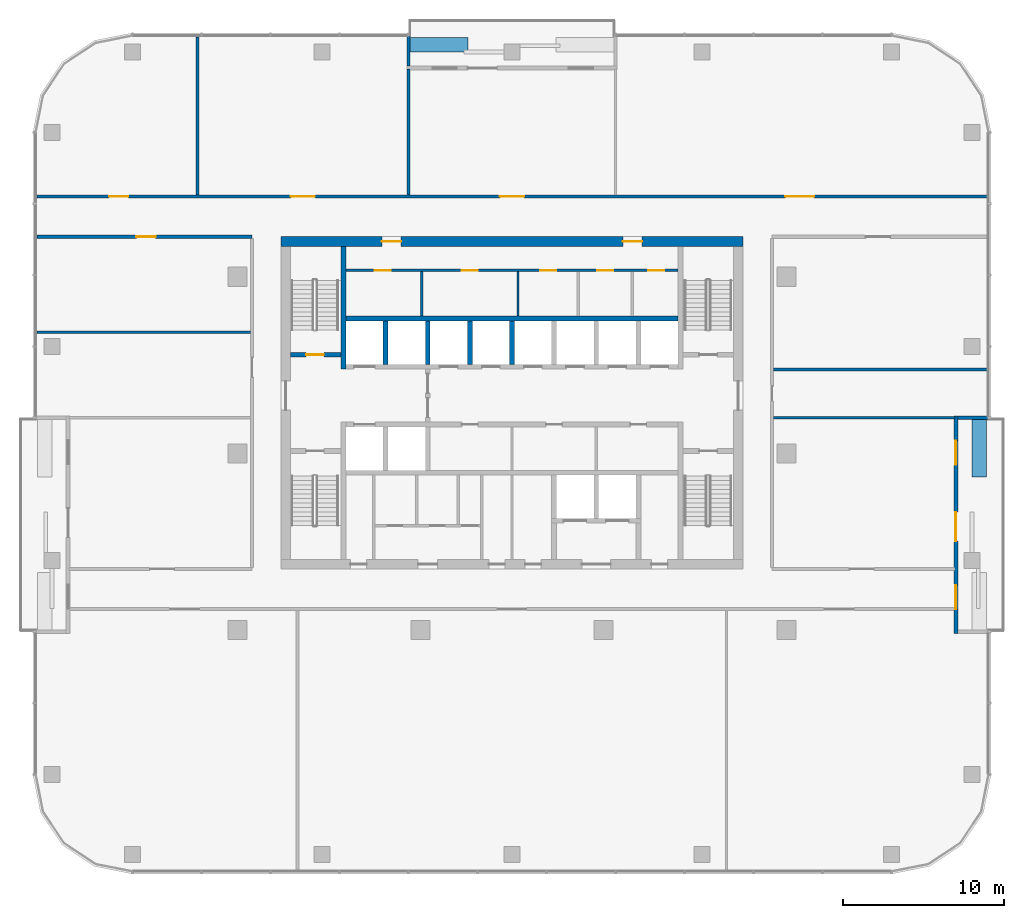
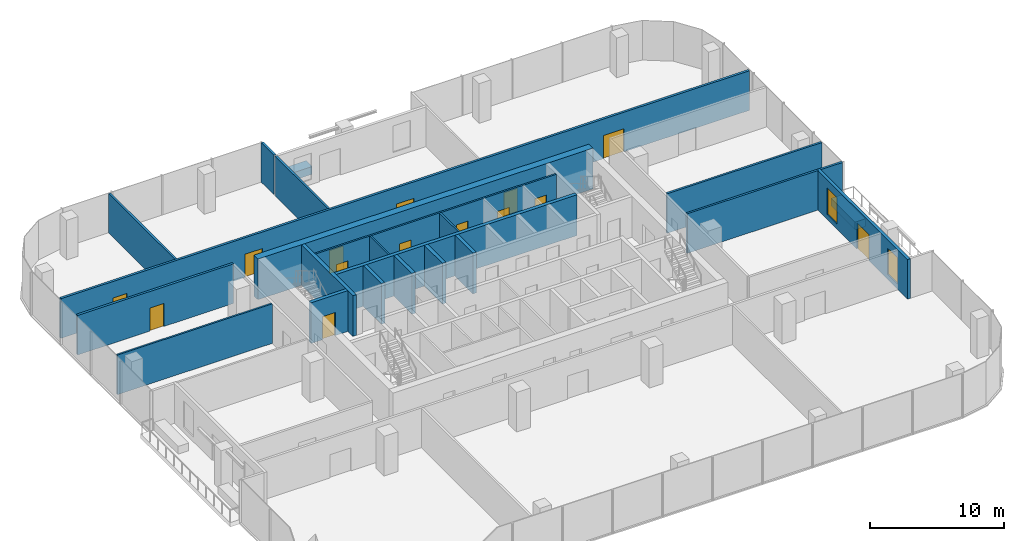
# One storey, part 9 of 13: 23 walls, 14 doors, 2 windows, 16 openings.
"""IFC4 building model written with IfcOpenShell, lengths in metres."""

from ifc_helpers import new_model, si_unit, direction, frame, frame_2d, origin, place, context, subcontext, project, spatial, rectangle, extrude, material, layer, layer_set, type_object, element, fill, save


model = new_model("IFC4")

# Units and contexts
model_context = context("Model", 3, precision=1e-05, world=origin(), true_north=direction((0.0, 1.0)))
body_context = subcontext(model_context, "Body", "Model", "MODEL_VIEW")
ifc_project = project(units=[si_unit("LENGTHUNIT", "METRE"), si_unit("AREAUNIT", "SQUARE_METRE"), si_unit("VOLUMEUNIT", "CUBIC_METRE"), si_unit("PLANEANGLEUNIT", "RADIAN"), si_unit("MASSUNIT", "GRAM", prefix="KILO")], contexts=[model_context])

# Site, building, storey
site_placement = place(None, origin())
site = spatial("IfcSite", under=ifc_project, at=site_placement, CompositionType="ELEMENT")
building_placement = place(site_placement, origin())
building = spatial("IfcBuilding", under=site, at=building_placement, Name="Mopane Tessera Tower", CompositionType="ELEMENT")
storey_placement = place(building_placement, frame((0.0, 0.0, 271.39990234375)))
storey = spatial("IfcBuildingStorey", under=building, at=storey_placement, Name="L58", CompositionType="ELEMENT", Elevation=271.39990234375)

# Walls
ifc_material_1 = material(Name="Fire-rated gypsum board partition")
ifc_layer_1 = layer(ifc_material_1, 0.14990234375)
ifc_layer_set_1 = layer_set([ifc_layer_1], Name="Fire-rated gypsum board partition")
wall_type_1 = type_object("IfcWallType", Name="Core room partition 150 mm", PredefinedType="PARTITIONING", material=ifc_layer_set_1)
for number, where, z_axis, x_axis, name in (
    (1, (-5.625, 8.550048828125, 0.0), (0.0, 0.0, 1.0), (0.0, 1.0, 0.0), "L58 Room partition"),
    (2, (0.375, 8.550048828125, 0.0), (0.0, 0.0, 1.0), (0.0, 1.0, 0.0), "L58 Room partition"),
):
    element("IfcWall", number, at=place(storey_placement, frame(where, z_axis=z_axis, x_axis=x_axis)), inside=storey, type_object=wall_type_1, Name=name, PredefinedType="PARTITIONING", context=body_context, shape_type="SweptSolid", body=[
        extrude(rectangle(XDim=2.77490234375, YDim=0.14990234375, at=frame_2d((1.387451171875, 0.0))), origin(), (0.0, 0.0, 1.0), 3.7001953125),
    ])

# Wall, openings, doors
wall_1_placement = place(storey_placement, frame((-10.35009765625, 11.39990234375, 0.0), z_axis=(0.0, 0.0, 1.0), x_axis=(1.0, 0.0, 0.0)))
wall_1 = element("IfcWall", 3, at=wall_1_placement, inside=storey, type_object=wall_type_1, Name="L58 Corridor wall", PredefinedType="PARTITIONING", context=body_context, shape_type="SweptSolid", body=[
    extrude(rectangle(XDim=20.7001953125, YDim=0.14990234375, at=frame_2d((10.35009765625, 0.0))), origin(), (0.0, 0.0, 1.0), 3.7001953125),
])
opening_1_placement = place(wall_1_placement, frame((1.78759765625, 0.0, 0.0)))
opening_1 = element("IfcOpeningElement", 4, at=opening_1_placement, cuts=wall_1, Name="Opening RD1", PredefinedType="OPENING", context=body_context, shape_type="SweptSolid", body=[
    extrude(rectangle(XDim=1.0, YDim=2.10009765625, at=frame_2d((0.5, 1.050048828125))), frame((0.0, 0.0869140625, 0.0), z_axis=(0.0, -1.0, 0.0), x_axis=(1.0, 0.0, 0.0)), (0.0, 0.0, 1.0), 0.173828125),
])
opening_2_placement = place(wall_1_placement, frame((7.22509765625, 0.0, 0.0)))
opening_2 = element("IfcOpeningElement", 5, at=opening_2_placement, cuts=wall_1, Name="Opening RD1", PredefinedType="OPENING", context=body_context, shape_type="SweptSolid", body=[
    extrude(rectangle(XDim=1.0, YDim=2.10009765625, at=frame_2d((0.5, 1.050048828125))), frame((0.0, 0.0869140625, 0.0), z_axis=(0.0, -1.0, 0.0), x_axis=(1.0, 0.0, 0.0)), (0.0, 0.0, 1.0), 0.173828125),
])
opening_3_placement = place(wall_1_placement, frame((12.10009765625, 0.0, 0.0)))
opening_3 = element("IfcOpeningElement", 6, at=opening_3_placement, cuts=wall_1, Name="Opening RD1", PredefinedType="OPENING", context=body_context, shape_type="SweptSolid", body=[
    extrude(rectangle(XDim=1.0, YDim=2.10009765625, at=frame_2d((0.5, 1.050048828125))), frame((0.0, 0.0869140625, 0.0), z_axis=(0.0, -1.0, 0.0), x_axis=(1.0, 0.0, 0.0)), (0.0, 0.0, 1.0), 0.173828125),
])
opening_4_placement = place(wall_1_placement, frame((15.66259765625, 0.0, 0.0)))
opening_4 = element("IfcOpeningElement", 7, at=opening_4_placement, cuts=wall_1, Name="Opening RD1", PredefinedType="OPENING", context=body_context, shape_type="SweptSolid", body=[
    extrude(rectangle(XDim=1.0, YDim=2.10009765625, at=frame_2d((0.5, 1.050048828125))), frame((0.0, 0.0869140625, 0.0), z_axis=(0.0, -1.0, 0.0), x_axis=(1.0, 0.0, 0.0)), (0.0, 0.0, 1.0), 0.173828125),
])
opening_5_placement = place(wall_1_placement, frame((18.85009765625, 0.0, 0.0)))
opening_5 = element("IfcOpeningElement", 8, at=opening_5_placement, cuts=wall_1, Name="Opening RD1", PredefinedType="OPENING", context=body_context, shape_type="SweptSolid", body=[
    extrude(rectangle(XDim=1.0, YDim=2.10009765625, at=frame_2d((0.5, 1.050048828125))), frame((0.0, 0.0869140625, 0.0), z_axis=(0.0, -1.0, 0.0), x_axis=(1.0, 0.0, 0.0)), (0.0, 0.0, 1.0), 0.173828125),
])
ifc_material_2 = material(Name="Timber door", Category="wood")
door_type_1 = type_object("IfcDoorType", Name="Core room door 1000 x 2100", OperationType="SINGLE_SWING_LEFT", PredefinedType="DOOR", material=ifc_material_2)
door_1_placement = place(opening_1_placement, origin())
door_1 = element("IfcDoor", 9, at=door_1_placement, inside=storey, type_object=door_type_1, Name="L58 Room door", OperationType="SINGLE_SWING_LEFT", OverallHeight=2.10009765625, OverallWidth=1.0, PredefinedType="DOOR", context=body_context, shape_type="SweptSolid", body=[
    extrude(rectangle(XDim=1.0, YDim=2.10009765625, at=frame_2d((0.5, 1.050048828125))), frame((0.0, 0.02490234375, 0.0), z_axis=(0.0, -1.0, 0.0), x_axis=(1.0, 0.0, 0.0)), (0.0, 0.0, 1.0), 0.050048828125),
])
fill(opening_1, door_1)
door_2_placement = place(opening_2_placement, origin())
door_2 = element("IfcDoor", 10, at=door_2_placement, inside=storey, type_object=door_type_1, Name="L58 Room door", OperationType="SINGLE_SWING_LEFT", OverallHeight=2.10009765625, OverallWidth=1.0, PredefinedType="DOOR", context=body_context, shape_type="SweptSolid", body=[
    extrude(rectangle(XDim=1.0, YDim=2.10009765625, at=frame_2d((0.5, 1.050048828125))), frame((0.0, 0.02490234375, 0.0), z_axis=(0.0, -1.0, 0.0), x_axis=(1.0, 0.0, 0.0)), (0.0, 0.0, 1.0), 0.050048828125),
])
fill(opening_2, door_2)
door_3_placement = place(opening_3_placement, origin())
door_3 = element("IfcDoor", 11, at=door_3_placement, inside=storey, type_object=door_type_1, Name="L58 Room door", OperationType="SINGLE_SWING_LEFT", OverallHeight=2.10009765625, OverallWidth=1.0, PredefinedType="DOOR", context=body_context, shape_type="SweptSolid", body=[
    extrude(rectangle(XDim=1.0, YDim=2.10009765625, at=frame_2d((0.5, 1.050048828125))), frame((0.0, 0.02490234375, 0.0), z_axis=(0.0, -1.0, 0.0), x_axis=(1.0, 0.0, 0.0)), (0.0, 0.0, 1.0), 0.050048828125),
])
fill(opening_3, door_3)
door_4_placement = place(opening_4_placement, origin())
door_4 = element("IfcDoor", 12, at=door_4_placement, inside=storey, type_object=door_type_1, Name="L58 Room door", OperationType="SINGLE_SWING_LEFT", OverallHeight=2.10009765625, OverallWidth=1.0, PredefinedType="DOOR", context=body_context, shape_type="SweptSolid", body=[
    extrude(rectangle(XDim=1.0, YDim=2.10009765625, at=frame_2d((0.5, 1.050048828125))), frame((0.0, 0.02490234375, 0.0), z_axis=(0.0, -1.0, 0.0), x_axis=(1.0, 0.0, 0.0)), (0.0, 0.0, 1.0), 0.050048828125),
])
fill(opening_4, door_4)
door_5_placement = place(opening_5_placement, origin())
door_5 = element("IfcDoor", 13, at=door_5_placement, inside=storey, type_object=door_type_1, Name="L58 Room door", OperationType="SINGLE_SWING_LEFT", OverallHeight=2.10009765625, OverallWidth=1.0, PredefinedType="DOOR", context=body_context, shape_type="SweptSolid", body=[
    extrude(rectangle(XDim=1.0, YDim=2.10009765625, at=frame_2d((0.5, 1.050048828125))), frame((0.0, 0.02490234375, 0.0), z_axis=(0.0, -1.0, 0.0), x_axis=(1.0, 0.0, 0.0)), (0.0, 0.0, 1.0), 0.050048828125),
])
fill(opening_5, door_5)

ifc_material_3 = material(Name="Concrete C70/85", Category="concrete")
ifc_layer_2 = layer(ifc_material_3, 0.60009765625)
ifc_layer_set_2 = layer_set([ifc_layer_2], Name="Concrete C70/85")
wall_type_2 = type_object("IfcWallType", Name="Core shear wall 600 mm", PredefinedType="SHEAR", material=ifc_layer_set_2)
wall_2_placement = place(storey_placement, frame((-14.39990234375, 13.199951171875, 0.0), z_axis=(0.0, 0.0, 1.0), x_axis=(1.0, 0.0, 0.0)))
wall_2 = element("IfcWall", 14, at=wall_2_placement, inside=storey, type_object=wall_type_2, Name="L58 Core wall north", PredefinedType="SHEAR", context=body_context, shape_type="SweptSolid", body=[
    extrude(rectangle(XDim=28.7998046875, YDim=0.60009765625, at=frame_2d((14.39990234375, 0.0))), origin(), (0.0, 0.0, 1.0), 3.7001953125),
])
opening_6_placement = place(wall_2_placement, frame((6.300048828125, 0.0, 0.0)))
opening_6 = element("IfcOpeningElement", 15, at=opening_6_placement, cuts=wall_2, Name="Opening RD2", PredefinedType="OPENING", context=body_context, shape_type="SweptSolid", body=[
    extrude(rectangle(XDim=1.199951171875, YDim=2.10009765625, at=frame_2d((0.60009765625, 1.050048828125))), frame((0.0, 0.31201171875, 0.0), z_axis=(0.0, -1.0, 0.0), x_axis=(1.0, 0.0, 0.0)), (0.0, 0.0, 1.0), 0.6240234375),
])
opening_7_placement = place(wall_2_placement, frame((21.300048828125, 0.0, 0.0)))
opening_7 = element("IfcOpeningElement", 16, at=opening_7_placement, cuts=wall_2, Name="Opening RD2", PredefinedType="OPENING", context=body_context, shape_type="SweptSolid", body=[
    extrude(rectangle(XDim=1.199951171875, YDim=2.10009765625, at=frame_2d((0.60009765625, 1.050048828125))), frame((0.0, 0.31201171875, 0.0), z_axis=(0.0, -1.0, 0.0), x_axis=(1.0, 0.0, 0.0)), (0.0, 0.0, 1.0), 0.6240234375),
])
ifc_material_4 = material(Name="Timber door", Category="wood")
door_type_2 = type_object("IfcDoorType", Name="Core corridor door 1200 x 2100", OperationType="SINGLE_SWING_LEFT", PredefinedType="DOOR", material=ifc_material_4)
door_6_placement = place(opening_6_placement, origin())
door_6 = element("IfcDoor", 17, at=door_6_placement, inside=storey, type_object=door_type_2, Name="L58 Corridor door", OperationType="SINGLE_SWING_LEFT", OverallHeight=2.10009765625, OverallWidth=1.199951171875, PredefinedType="DOOR", context=body_context, shape_type="SweptSolid", body=[
    extrude(rectangle(XDim=1.199951171875, YDim=2.10009765625, at=frame_2d((0.60009765625, 1.050048828125))), frame((0.0, 0.02490234375, 0.0), z_axis=(0.0, -1.0, 0.0), x_axis=(1.0, 0.0, 0.0)), (0.0, 0.0, 1.0), 0.050048828125),
])
fill(opening_6, door_6)
door_7_placement = place(opening_7_placement, origin())
door_7 = element("IfcDoor", 18, at=door_7_placement, inside=storey, type_object=door_type_2, Name="L58 Corridor door", OperationType="SINGLE_SWING_RIGHT", OverallHeight=2.10009765625, OverallWidth=1.199951171875, PredefinedType="DOOR", context=body_context, shape_type="SweptSolid", body=[
    extrude(rectangle(XDim=1.199951171875, YDim=2.10009765625, at=frame_2d((0.60009765625, 1.050048828125))), frame((0.0, 0.02490234375, 0.0), z_axis=(0.0, -1.0, 0.0), x_axis=(1.0, 0.0, 0.0)), (0.0, 0.0, 1.0), 0.050048828125),
])
fill(opening_7, door_7)

# Walls
ifc_material_5 = material(Name="Concrete C60/75", Category="concrete")
ifc_layer_3 = layer(ifc_material_5, 0.300048828125)
ifc_layer_set_3 = layer_set([ifc_layer_3], Name="Concrete C60/75")
wall_type_3 = type_object("IfcWallType", Name="Core spine wall 300 mm", PredefinedType="SHEAR", material=ifc_layer_set_3)
wall_3_placement = place(storey_placement, frame((-10.5, 5.25, 0.0), z_axis=(0.0, 0.0, 1.0), x_axis=(0.0, 1.0, 0.0)))
element("IfcWall", 19, at=wall_3_placement, inside=storey, type_object=wall_type_3, Name="L58 Core spine wall", PredefinedType="SHEAR", context=body_context, shape_type="SweptSolid", body=[
    extrude(rectangle(XDim=7.64990234375, YDim=0.300048828125, at=frame_2d((3.824951171875, 0.0))), origin(), (0.0, 0.0, 1.0), 3.7001953125),
])
ifc_material_6 = material(Name="Gypsum board on staggered steel studs, double layer each face, acoustic mineral wool infill", Category="steel")
ifc_layer_4 = layer(ifc_material_6, 0.175048828125)
ifc_layer_set_4 = layer_set([ifc_layer_4], Name="Gypsum board on staggered steel studs, double layer each face, acoustic mineral wool infill")
wall_type_4 = type_object("IfcWallType", Name="Gypsum board acoustic partition 175, rated EI 60", PredefinedType="PARTITIONING", material=ifc_layer_set_4)
wall_4_placement = place(storey_placement, frame((16.300048828125, 2.219970703125, 0.0), z_axis=(0.0, 0.0, 1.0), x_axis=(1.0, 0.0, 0.0)))
element("IfcWall", 20, at=wall_4_placement, inside=storey, type_object=wall_type_4, Name="Partition L58:004", PredefinedType="PARTITIONING", context=body_context, shape_type="SweptSolid", body=[
    extrude(rectangle(XDim=11.300048828125, YDim=0.175048828125, at=frame_2d((5.64990234375, 0.0))), origin(), (0.0, 0.0, 1.0), 3.60009765625),
])
wall_5_placement = place(storey_placement, frame((16.300048828125, 5.219970703125, 0.0), z_axis=(0.0, 0.0, 1.0), x_axis=(1.0, 0.0, 0.0)))
element("IfcWall", 21, at=wall_5_placement, inside=storey, type_object=wall_type_4, Name="Partition L58:005", PredefinedType="PARTITIONING", context=body_context, shape_type="SweptSolid", body=[
    extrude(rectangle(XDim=13.300048828125, YDim=0.175048828125, at=frame_2d((6.64990234375, 0.0))), origin(), (0.0, 0.0, 1.0), 3.60009765625),
])
wall_6_placement = place(storey_placement, frame((-19.60009765625, 16.10009765625, 0.0), z_axis=(0.0, 0.0, 1.0), x_axis=(0.0, 1.0, 0.0)))
element("IfcWall", 22, at=wall_6_placement, inside=storey, type_object=wall_type_4, Name="Partition L58:010", PredefinedType="PARTITIONING", context=body_context, shape_type="SweptSolid", body=[
    extrude(rectangle(XDim=9.849853515625, YDim=0.175048828125, at=frame_2d((4.9248046875, 0.0))), origin(), (0.0, 0.0, 1.0), 3.60009765625),
])
wall_7_placement = place(storey_placement, frame((-6.449951171875, 16.10009765625, 0.0), z_axis=(0.0, 0.0, 1.0), x_axis=(0.0, 1.0, 0.0)))
element("IfcWall", 23, at=wall_7_placement, inside=storey, type_object=wall_type_4, Name="Partition L58:013", PredefinedType="PARTITIONING", context=body_context, shape_type="SweptSolid", body=[
    extrude(rectangle(XDim=7.849853515625, YDim=0.175048828125, at=frame_2d((3.9248046875, 0.0))), origin(), (0.0, 0.0, 1.0), 3.60009765625),
])

# Wall, opening, door
ifc_material_7 = material(Name="Gypsum board on steel studs, two layers each face, mineral wool infill", Category="steel")
ifc_layer_5 = layer(ifc_material_7, 0.199951171875)
ifc_layer_set_5 = layer_set([ifc_layer_5], Name="Gypsum board on steel studs, two layers each face, mineral wool infill")
wall_type_5 = type_object("IfcWallType", Name="Gypsum board corridor wall 200, rated EI 60", PredefinedType="PARTITIONING", material=ifc_layer_set_5)
wall_8_placement = place(storey_placement, frame((-29.60009765625, 13.5, 0.0), z_axis=(0.0, 0.0, 1.0), x_axis=(1.0, 0.0, 0.0)))
wall_8 = element("IfcWall", 24, at=wall_8_placement, inside=storey, type_object=wall_type_5, Name="Partition L58:007", PredefinedType="PARTITIONING", context=body_context, shape_type="SweptSolid", body=[
    extrude(rectangle(XDim=13.400146484375, YDim=0.199951171875, at=frame_2d((6.7001953125, 0.0))), origin(), (0.0, 0.0, 1.0), 3.60009765625),
])
opening_8_placement = place(wall_8_placement, frame((6.199951171875, 0.0, 0.0)))
opening_8 = element("IfcOpeningElement", 25, at=opening_8_placement, cuts=wall_8, Name="Opening L58-06", PredefinedType="OPENING", context=body_context, shape_type="SweptSolid", body=[
    extrude(rectangle(XDim=1.199951171875, YDim=2.10009765625, at=frame_2d((0.60009765625, 1.050048828125))), frame((0.0, 0.112060546875, 0.0), z_axis=(0.0, -1.0, 0.0), x_axis=(1.0, 0.0, 0.0)), (0.0, 0.0, 1.0), 0.223876953125),
])
ifc_material_8 = material(Name="Timber veneered steel-framed fire door", Category="steel")
door_type_3 = type_object("IfcDoorType", Name="Fire door FD60 1200 x 2100", OperationType="SINGLE_SWING_LEFT", PredefinedType="DOOR", material=ifc_material_8)
door_8_placement = place(opening_8_placement, origin())
door_8 = element("IfcDoor", 26, at=door_8_placement, inside=storey, type_object=door_type_3, Name="Door L58-06", ObjectType="D15A", OperationType="SINGLE_SWING_RIGHT", OverallHeight=2.10009765625, OverallWidth=1.199951171875, PredefinedType="DOOR", context=body_context, shape_type="SweptSolid", body=[
    extrude(rectangle(XDim=1.199951171875, YDim=2.10009765625, at=frame_2d((0.60009765625, 1.050048828125))), frame((0.0, 0.02490234375, 0.0), z_axis=(0.0, -1.0, 0.0), x_axis=(1.0, 0.0, 0.0)), (0.0, 0.0, 1.0), 0.050048828125),
])
fill(opening_8, door_8)

# Wall, openings, doors
wall_9_placement = place(storey_placement, frame((-29.60009765625, 16.0, 0.0), z_axis=(0.0, 0.0, 1.0), x_axis=(1.0, 0.0, 0.0)))
wall_9 = element("IfcWall", 27, at=wall_9_placement, inside=storey, type_object=wall_type_5, Name="Partition L58:009", PredefinedType="PARTITIONING", context=body_context, shape_type="SweptSolid", body=[
    extrude(rectangle(XDim=59.2001953125, YDim=0.199951171875, at=frame_2d((29.60009765625, 0.0))), origin(), (0.0, 0.0, 1.0), 3.60009765625),
])
opening_9_placement = place(wall_9_placement, frame((46.625, 0.0, 0.0)))
opening_9 = element("IfcOpeningElement", 28, at=opening_9_placement, cuts=wall_9, Name="Opening L58-01", PredefinedType="OPENING", context=body_context, shape_type="SweptSolid", body=[
    extrude(rectangle(XDim=1.800048828125, YDim=2.10009765625, at=frame_2d((0.89990234375, 1.050048828125))), frame((0.0, 0.112060546875, 0.0), z_axis=(0.0, -1.0, 0.0), x_axis=(1.0, 0.0, 0.0)), (0.0, 0.0, 1.0), 0.223876953125),
])
opening_10_placement = place(wall_9_placement, frame((28.85009765625, 0.0, 0.0)))
opening_10 = element("IfcOpeningElement", 29, at=opening_10_placement, cuts=wall_9, Name="Opening L58-04", PredefinedType="OPENING", context=body_context, shape_type="SweptSolid", body=[
    extrude(rectangle(XDim=1.5, YDim=2.10009765625, at=frame_2d((0.75, 1.050048828125))), frame((0.0, 0.112060546875, 0.0), z_axis=(0.0, -1.0, 0.0), x_axis=(1.0, 0.0, 0.0)), (0.0, 0.0, 1.0), 0.223876953125),
])
opening_11_placement = place(wall_9_placement, frame((4.5, 0.0, 0.0)))
opening_11 = element("IfcOpeningElement", 30, at=opening_11_placement, cuts=wall_9, Name="Opening L58-08", PredefinedType="OPENING", context=body_context, shape_type="SweptSolid", body=[
    extrude(rectangle(XDim=1.199951171875, YDim=2.10009765625, at=frame_2d((0.60009765625, 1.050048828125))), frame((0.0, 0.112060546875, 0.0), z_axis=(0.0, -1.0, 0.0), x_axis=(1.0, 0.0, 0.0)), (0.0, 0.0, 1.0), 0.223876953125),
])
opening_12_placement = place(wall_9_placement, frame((15.824951171875, 0.0, 0.0)))
opening_12 = element("IfcOpeningElement", 31, at=opening_12_placement, cuts=wall_9, Name="Opening L58-12", PredefinedType="OPENING", context=body_context, shape_type="SweptSolid", body=[
    extrude(rectangle(XDim=1.5, YDim=2.10009765625, at=frame_2d((0.75, 1.050048828125))), frame((0.0, 0.112060546875, 0.0), z_axis=(0.0, -1.0, 0.0), x_axis=(1.0, 0.0, 0.0)), (0.0, 0.0, 1.0), 0.223876953125),
])
door_9_placement = place(opening_11_placement, origin())
door_9 = element("IfcDoor", 32, at=door_9_placement, inside=storey, type_object=door_type_3, Name="Door L58-08", ObjectType="D15A", OperationType="SINGLE_SWING_LEFT", OverallHeight=2.10009765625, OverallWidth=1.199951171875, PredefinedType="DOOR", context=body_context, shape_type="SweptSolid", body=[
    extrude(rectangle(XDim=1.199951171875, YDim=2.10009765625, at=frame_2d((0.60009765625, 1.050048828125))), frame((0.0, 0.02490234375, 0.0), z_axis=(0.0, -1.0, 0.0), x_axis=(1.0, 0.0, 0.0)), (0.0, 0.0, 1.0), 0.050048828125),
])
fill(opening_11, door_9)
ifc_material_9 = material(Name="Timber veneered steel-framed fire door", Category="steel")
door_type_4 = type_object("IfcDoorType", Name="Fire door pair FD60 1500 x 2100", OperationType="DOUBLE_DOOR_SINGLE_SWING", PredefinedType="DOOR", material=ifc_material_9)
door_10_placement = place(opening_10_placement, origin())
door_10 = element("IfcDoor", 33, at=door_10_placement, inside=storey, type_object=door_type_4, Name="Door L58-04", ObjectType="D17A", OperationType="DOUBLE_DOOR_SINGLE_SWING", OverallHeight=2.10009765625, OverallWidth=1.5, PredefinedType="DOOR", context=body_context, shape_type="SweptSolid", body=[
    extrude(rectangle(XDim=1.5, YDim=2.10009765625, at=frame_2d((0.75, 1.050048828125))), frame((0.0, 0.02490234375, 0.0), z_axis=(0.0, -1.0, 0.0), x_axis=(1.0, 0.0, 0.0)), (0.0, 0.0, 1.0), 0.050048828125),
])
fill(opening_10, door_10)
door_11_placement = place(opening_12_placement, origin())
door_11 = element("IfcDoor", 34, at=door_11_placement, inside=storey, type_object=door_type_4, Name="Door L58-12", ObjectType="D17A", OperationType="DOUBLE_DOOR_SINGLE_SWING", OverallHeight=2.10009765625, OverallWidth=1.5, PredefinedType="DOOR", context=body_context, shape_type="SweptSolid", body=[
    extrude(rectangle(XDim=1.5, YDim=2.10009765625, at=frame_2d((0.75, 1.050048828125))), frame((0.0, 0.02490234375, 0.0), z_axis=(0.0, -1.0, 0.0), x_axis=(1.0, 0.0, 0.0)), (0.0, 0.0, 1.0), 0.050048828125),
])
fill(opening_12, door_11)
ifc_material_10 = material(Name="Timber veneered steel-framed fire door", Category="steel")
door_type_5 = type_object("IfcDoorType", Name="Fire door pair FD60 1800 x 2100", OperationType="DOUBLE_DOOR_SINGLE_SWING", PredefinedType="DOOR", material=ifc_material_10)
door_12_placement = place(opening_9_placement, origin())
door_12 = element("IfcDoor", 35, at=door_12_placement, inside=storey, type_object=door_type_5, Name="Door L58-01", ObjectType="D20A", OperationType="DOUBLE_DOOR_SINGLE_SWING", OverallHeight=2.10009765625, OverallWidth=1.800048828125, PredefinedType="DOOR", context=body_context, shape_type="SweptSolid", body=[
    extrude(rectangle(XDim=1.800048828125, YDim=2.10009765625, at=frame_2d((0.89990234375, 1.050048828125))), frame((0.0, 0.02490234375, 0.0), z_axis=(0.0, -1.0, 0.0), x_axis=(1.0, 0.0, 0.0)), (0.0, 0.0, 1.0), 0.050048828125),
])
fill(opening_9, door_12)

# Wall
ifc_material_11 = material(Name="Gypsum board on steel studs, mineral wool infill", Category="steel")
ifc_layer_6 = layer(ifc_material_11, 0.14990234375)
ifc_layer_set_6 = layer_set([ifc_layer_6], Name="Gypsum board on steel studs, mineral wool infill")
wall_type_6 = type_object("IfcWallType", Name="Gypsum board partition 150, rated EI 60", PredefinedType="PARTITIONING", material=ifc_layer_set_6)
wall_10_placement = place(storey_placement, frame((-29.60009765625, 7.5400390625, 0.0), z_axis=(0.0, 0.0, 1.0), x_axis=(1.0, 0.0, 0.0)))
element("IfcWall", 36, at=wall_10_placement, inside=storey, type_object=wall_type_6, Name="Partition L58:006", PredefinedType="PARTITIONING", context=body_context, shape_type="SweptSolid", body=[
    extrude(rectangle(XDim=13.300048828125, YDim=0.14990234375, at=frame_2d((6.64990234375, 0.0))), origin(), (0.0, 0.0, 1.0), 3.60009765625),
])

# Wall, opening, door
ifc_material_12 = material(Name="Concrete C50/60", Category="concrete")
ifc_layer_7 = layer(ifc_material_12, 0.300048828125)
ifc_layer_set_7 = layer_set([ifc_layer_7], Name="Concrete C50/60")
wall_type_7 = type_object("IfcWallType", Name="Lift and stair shaft wall 300 mm", PredefinedType="SOLIDWALL", material=ifc_layer_set_7)
wall_11_placement = place(storey_placement, frame((-13.800048828125, 6.14990234375, 0.0), z_axis=(0.0, 0.0, 1.0), x_axis=(1.0, 0.0, 0.0)))
wall_11 = element("IfcWall", 37, at=wall_11_placement, inside=storey, type_object=wall_type_7, Name="L58 Stair enclosure wall", PredefinedType="SOLIDWALL", context=body_context, shape_type="SweptSolid", body=[
    extrude(rectangle(XDim=3.150146484375, YDim=0.300048828125, at=frame_2d((1.5751953125, 0.0))), origin(), (0.0, 0.0, 1.0), 3.7001953125),
])
opening_13_placement = place(wall_11_placement, frame((0.97509765625, 0.0, 0.0)))
opening_13 = element("IfcOpeningElement", 38, at=opening_13_placement, cuts=wall_11, Name="Opening SD1", PredefinedType="OPENING", context=body_context, shape_type="SweptSolid", body=[
    extrude(rectangle(XDim=1.10009765625, YDim=2.10009765625, at=frame_2d((0.550048828125, 1.050048828125))), frame((0.0, 0.162109375, 0.0), z_axis=(0.0, -1.0, 0.0), x_axis=(1.0, 0.0, 0.0)), (0.0, 0.0, 1.0), 0.323974609375),
])
ifc_material_13 = material(Name="Steel fire door", Category="steel")
door_type_6 = type_object("IfcDoorType", Name="Stair fire door 1100 x 2100", OperationType="SINGLE_SWING_LEFT", PredefinedType="DOOR", material=ifc_material_13)
door_13_placement = place(opening_13_placement, origin())
door_13 = element("IfcDoor", 39, at=door_13_placement, inside=storey, type_object=door_type_6, Name="L58 Stair door ST2", OperationType="SINGLE_SWING_LEFT", OverallHeight=2.10009765625, OverallWidth=1.10009765625, PredefinedType="DOOR", context=body_context, shape_type="SweptSolid", body=[
    extrude(rectangle(XDim=1.10009765625, YDim=2.10009765625, at=frame_2d((0.550048828125, 1.050048828125))), frame((0.0, 0.02490234375, 0.0), z_axis=(0.0, -1.0, 0.0), x_axis=(1.0, 0.0, 0.0)), (0.0, 0.0, 1.0), 0.050048828125),
])
fill(opening_13, door_13)

# Walls
wall_12_placement = place(storey_placement, frame((-10.35009765625, 8.39990234375, 0.0), z_axis=(0.0, 0.0, 1.0), x_axis=(1.0, 0.0, 0.0)))
element("IfcWall", 40, at=wall_12_placement, inside=storey, type_object=wall_type_7, Name="L58 Lift shaft rear wall", PredefinedType="SOLIDWALL", context=body_context, shape_type="SweptSolid", body=[
    extrude(rectangle(XDim=20.7001953125, YDim=0.300048828125, at=frame_2d((10.35009765625, 0.0))), origin(), (0.0, 0.0, 1.0), 3.7001953125),
])
for number, where, z_axis, x_axis, name in (
    (41, (-7.875, 5.550048828125, 0.0), (0.0, 0.0, 1.0), (0.0, 1.0, 0.0), "L58 Lift shaft wall"),
    (42, (-5.25, 5.550048828125, 0.0), (0.0, 0.0, 1.0), (0.0, 1.0, 0.0), "L58 Lift shaft wall"),
    (43, (-2.625, 5.550048828125, 0.0), (0.0, 0.0, 1.0), (0.0, 1.0, 0.0), "L58 Lift shaft wall"),
    (44, (0.0, 5.550048828125, 0.0), (0.0, 0.0, 1.0), (0.0, 1.0, 0.0), "L58 Lift shaft wall"),
):
    element("IfcWall", number, at=place(storey_placement, frame(where, z_axis=z_axis, x_axis=x_axis)), inside=storey, type_object=wall_type_7, Name=name, PredefinedType="SOLIDWALL", context=body_context, shape_type="SweptSolid", body=[
        extrude(rectangle(XDim=2.699951171875, YDim=0.300048828125, at=frame_2d((1.35009765625, 0.0))), origin(), (0.0, 0.0, 1.0), 3.7001953125),
    ])
ifc_material_14 = material(Name="Reinforced concrete C32/40 with waterproofing", Category="concrete")
ifc_layer_8 = layer(ifc_material_14, 0.89990234375)
ifc_layer_set_8 = layer_set([ifc_layer_8], Name="Reinforced concrete C32/40 with waterproofing")
wall_type_8 = type_object("IfcWallType", Name="Planter trough 3600 x 900", PredefinedType="STANDARD", material=ifc_layer_set_8)
for number, where, z_axis, x_axis, name in (
    (45, (29.10009765625, -1.477783203125, 0.0), (0.0, 0.0, 1.0), (0.0, 1.0, 0.0), "e:nw:L58:N1:pl1"),
    (46, (-2.75, 25.449951171875, 0.0), (0.0, 0.0, 1.0), (-1.0, 0.0, 0.0), "e:nw:L58:N2:pl1"),
):
    element("IfcWall", number, at=place(storey_placement, frame(where, z_axis=z_axis, x_axis=x_axis)), inside=storey, type_object=wall_type_8, Name=name, PredefinedType="STANDARD", context=body_context, shape_type="SweptSolid", body=[
        extrude(rectangle(XDim=3.60009765625, YDim=0.89990234375, at=frame_2d((1.800048828125, 0.0))), origin(), (0.0, 0.0, 1.0), 0.7001953125),
    ])
ifc_material_15 = material(Name="Blockwork with glazed tile facing", Category="masonry")
ifc_layer_9 = layer(ifc_material_15, 0.199951171875)
ifc_layer_set_9 = layer_set([ifc_layer_9], Name="Blockwork with glazed tile facing")
wall_type_9 = type_object("IfcWallType", Name="Terrace cheek wall 200", PredefinedType="STANDARD", material=ifc_layer_set_9)
for number, where, z_axis, x_axis, name in (
    (47, (29.64990234375, 2.22216796875, 0.0), (0.0, 0.0, 1.0), (-1.0, 0.0, 0.0), "e:nw:L58:N1:cheekb"),
    (48, (-6.449951171875, 26.0, 0.0), (0.0, 0.0, 1.0), (0.0, -1.0, 0.0), "e:nw:L58:N2:cheekb"),
):
    element("IfcWall", number, at=place(storey_placement, frame(where, z_axis=z_axis, x_axis=x_axis)), inside=storey, type_object=wall_type_9, Name=name, PredefinedType="STANDARD", context=body_context, shape_type="SweptSolid", body=[
        extrude(rectangle(XDim=1.875, YDim=0.199951171875, at=frame_2d((0.9375, 0.0))), origin(), (0.0, 0.0, 1.0), 3.60009765625),
    ])

# Wall, openings, windows, door
ifc_material_16 = material(Name="Blockwork with turquoise glazed tile facing", Category="masonry")
ifc_layer_10 = layer(ifc_material_16, 0.25)
ifc_layer_set_10 = layer_set([ifc_layer_10], Name="Blockwork with turquoise glazed tile facing")
wall_type_10 = type_object("IfcWallType", Name="Tile-clad external wall 250, turquoise", PredefinedType="STANDARD", material=ifc_layer_set_10)
wall_13_placement = place(storey_placement, frame((27.64990234375, -11.211181640625, 0.0), z_axis=(0.0, 0.0, 1.0), x_axis=(0.0, 1.0, 0.0)))
wall_13 = element("IfcWall", 49, at=wall_13_placement, inside=storey, type_object=wall_type_10, Name="e:nw:L58:N1:back", PredefinedType="STANDARD", context=body_context, shape_type="SweptSolid", body=[
    extrude(rectangle(XDim=13.533447265625, YDim=0.25, at=frame_2d((6.7666015625, 0.0))), origin(), (0.0, 0.0, 1.0), 3.60009765625),
])
opening_14_placement = place(wall_13_placement, frame((1.5, 0.0, 0.449951171875)))
opening_14 = element("IfcOpeningElement", 50, at=opening_14_placement, cuts=wall_13, Name="Opening NW581A", PredefinedType="OPENING", context=body_context, shape_type="SweptSolid", body=[
    extrude(rectangle(XDim=1.5, YDim=2.39990234375, at=frame_2d((0.75, 1.199951171875))), frame((0.0, 0.136962890625, 0.0), z_axis=(0.0, -1.0, 0.0), x_axis=(1.0, 0.0, 0.0)), (0.0, 0.0, 1.0), 0.27392578125),
])
opening_15_placement = place(wall_13_placement, frame((5.75, 0.0, 0.0)))
opening_15 = element("IfcOpeningElement", 51, at=opening_15_placement, cuts=wall_13, Name="Opening ND581", PredefinedType="OPENING", context=body_context, shape_type="SweptSolid", body=[
    extrude(rectangle(XDim=1.800048828125, YDim=2.39990234375, at=frame_2d((0.89990234375, 1.199951171875))), frame((0.0, 0.136962890625, 0.0), z_axis=(0.0, -1.0, 0.0), x_axis=(1.0, 0.0, 0.0)), (0.0, 0.0, 1.0), 0.27392578125),
])
opening_16_placement = place(wall_13_placement, frame((10.5, 0.0, 0.449951171875)))
opening_16 = element("IfcOpeningElement", 52, at=opening_16_placement, cuts=wall_13, Name="Opening NW581B", PredefinedType="OPENING", context=body_context, shape_type="SweptSolid", body=[
    extrude(rectangle(XDim=1.5, YDim=2.39990234375, at=frame_2d((0.75, 1.199951171875))), frame((0.0, 0.136962890625, 0.0), z_axis=(0.0, -1.0, 0.0), x_axis=(1.0, 0.0, 0.0)), (0.0, 0.0, 1.0), 0.27392578125),
])
ifc_material_17 = material(Name="Clear laminated glass", Category="glass")
window_type = type_object("IfcWindowType", Name="Fixed window 1500 x 2400", PartitioningType="SINGLE_PANEL", PredefinedType="WINDOW", material=ifc_material_17)
window_1_placement = place(opening_14_placement, origin())
window_1 = element("IfcWindow", 53, at=window_1_placement, inside=storey, type_object=window_type, Name="e:nw:L58:N1:win0", OverallHeight=2.39990234375, OverallWidth=1.5, PartitioningType="SINGLE_PANEL", PredefinedType="WINDOW", context=body_context, shape_type="SweptSolid", body=[
    extrude(rectangle(XDim=1.5, YDim=2.39990234375, at=frame_2d((0.75, 1.199951171875))), frame((0.0, 0.030029296875, 0.0), z_axis=(0.0, -1.0, 0.0), x_axis=(1.0, 0.0, 0.0)), (0.0, 0.0, 1.0), 0.06005859375),
])
fill(opening_14, window_1)
window_2_placement = place(opening_16_placement, origin())
window_2 = element("IfcWindow", 54, at=window_2_placement, inside=storey, type_object=window_type, Name="e:nw:L58:N1:win2", OverallHeight=2.39990234375, OverallWidth=1.5, PartitioningType="SINGLE_PANEL", PredefinedType="WINDOW", context=body_context, shape_type="SweptSolid", body=[
    extrude(rectangle(XDim=1.5, YDim=2.39990234375, at=frame_2d((0.75, 1.199951171875))), frame((0.0, 0.030029296875, 0.0), z_axis=(0.0, -1.0, 0.0), x_axis=(1.0, 0.0, 0.0)), (0.0, 0.0, 1.0), 0.06005859375),
])
fill(opening_16, window_2)
ifc_material_18 = material(Name="Aluminium and clear glass", Category="aluminium")
door_type_7 = type_object("IfcDoorType", Name="Terrace double door 1800 x 2400", OperationType="DOUBLE_DOOR_SINGLE_SWING", PredefinedType="DOOR", material=ifc_material_18)
door_14_placement = place(opening_15_placement, origin())
door_14 = element("IfcDoor", 55, at=door_14_placement, inside=storey, type_object=door_type_7, Name="e:nw:L58:N1:door", ObjectType="D1", OperationType="DOUBLE_DOOR_SINGLE_SWING", OverallHeight=2.39990234375, OverallWidth=1.800048828125, PredefinedType="DOOR", context=body_context, shape_type="SweptSolid", body=[
    extrude(rectangle(XDim=1.800048828125, YDim=2.39990234375, at=frame_2d((0.89990234375, 1.199951171875))), frame((0.0, 0.02490234375, 0.0), z_axis=(0.0, -1.0, 0.0), x_axis=(1.0, 0.0, 0.0)), (0.0, 0.0, 1.0), 0.050048828125),
])
fill(opening_15, door_14)

save(model, "model.ifc")
